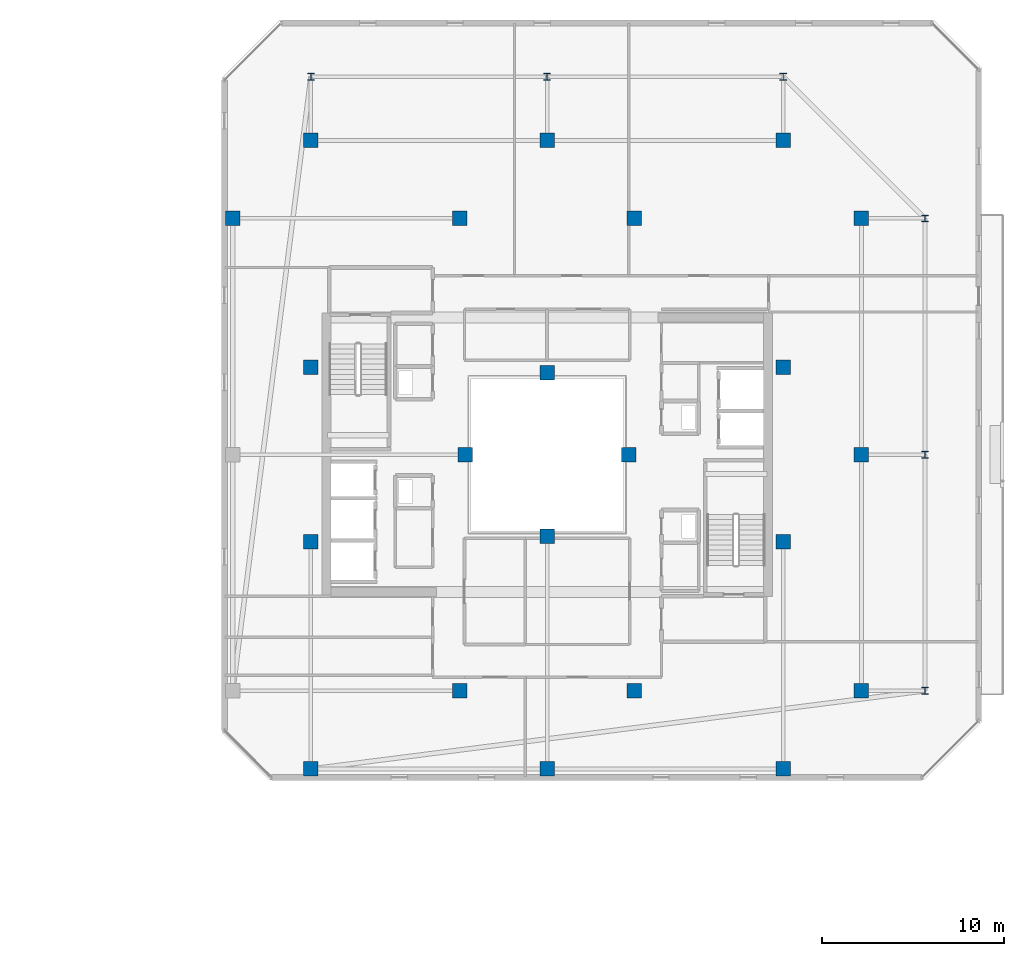
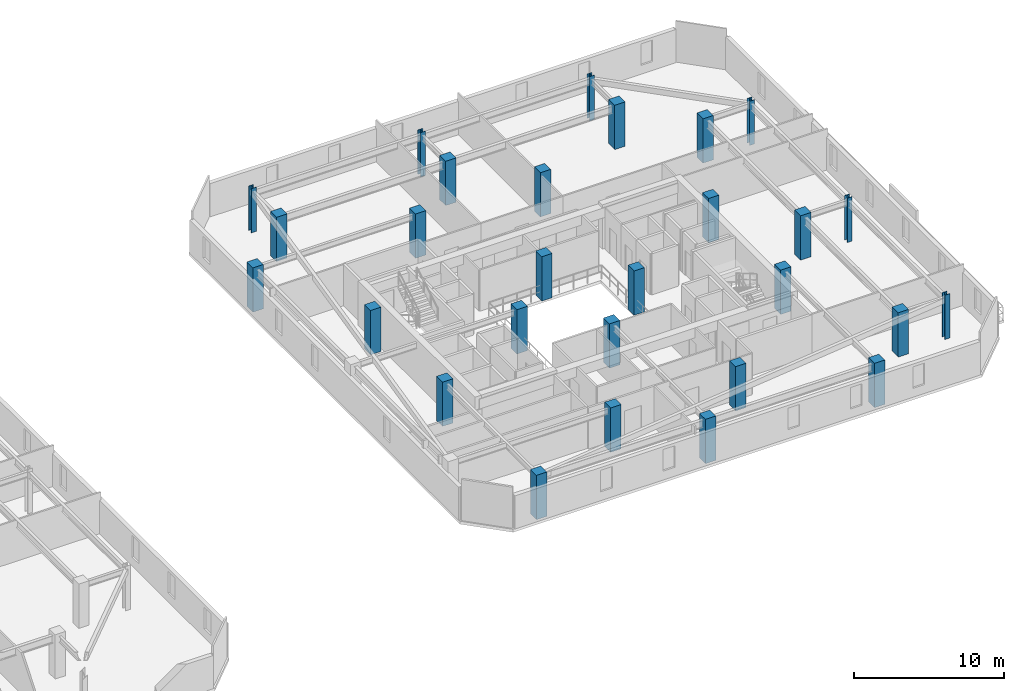
# One storey, part 4 of 35: 28 columns.
"""IFC4 building model written with IfcOpenShell, lengths in metres."""

from ifc_helpers import new_model, si_unit, direction, frame, origin, origin_2d, place, context, subcontext, project, spatial, rectangle, i_section, extrude, material, material_profile, profile_set, type_object, element, save


model = new_model("IFC4")

# Units and contexts
model_context = context("Model", 3, precision=1e-05, world=origin(), true_north=direction((0.0, 1.0)))
body_context = subcontext(model_context, "Body", "Model", "MODEL_VIEW")
ifc_project = project(units=[si_unit("LENGTHUNIT", "METRE"), si_unit("AREAUNIT", "SQUARE_METRE"), si_unit("VOLUMEUNIT", "CUBIC_METRE"), si_unit("PLANEANGLEUNIT", "RADIAN"), si_unit("MASSUNIT", "GRAM", prefix="KILO")], contexts=[model_context])

# Site, building, storey
site_placement = place(None, origin())
site = spatial("IfcSite", under=ifc_project, at=site_placement, CompositionType="ELEMENT")
building_placement = place(site_placement, origin())
building = spatial("IfcBuilding", under=site, at=building_placement, Name="Thornwick Lancets Civic Towers", CompositionType="ELEMENT")
storey_placement = place(building_placement, frame((0.0, 0.0, 269.10009765625)))
storey = spatial("IfcBuildingStorey", under=building, at=storey_placement, Name="L72", CompositionType="ELEMENT", Elevation=269.10009765625)

# Columns
ifc_material_1 = material(Name="Concrete C50/60", Category="concrete")
ifc_material_profile_1 = material_profile(ifc_material_1, rectangle(XDim=0.800048828125, YDim=0.800048828125, at=origin_2d()), Name="RC 800x800")
ifc_profile_set_1 = profile_set([ifc_material_profile_1], Name="Concrete C50/60")
column_type_1 = type_object("IfcColumnType", Name="COL_RC_800", PredefinedType="COLUMN", material=ifc_profile_set_1)
for number, where, z_axis, x_axis, name in (
    (1, (105.800048828125, 14.0, 0.0), (0.0, 0.0, 1.0), (1.0, 0.0, 0.0), "L72 Spine Mega-Column B01"),
    (2, (105.800048828125, 27.0, 0.0), (0.0, 0.0, 1.0), (1.0, 0.0, 0.0), "L72 Spine Mega-Column B02"),
    (3, (105.800048828125, 40.0, 0.0), (0.0, 0.0, 1.0), (1.0, 0.0, 0.0), "L72 Spine Mega-Column B03"),
    (4, (101.5, 44.300048828125, 0.0), (0.0, 0.0, 1.0), (1.0, 0.0, 0.0), "L72 Spine Mega-Column B04"),
    (5, (88.5, 44.300048828125, 0.0), (0.0, 0.0, 1.0), (1.0, 0.0, 0.0), "L72 Spine Mega-Column B05"),
    (6, (75.5, 44.300048828125, 0.0), (0.0, 0.0, 1.0), (1.0, 0.0, 0.0), "L72 Spine Mega-Column B06"),
    (7, (71.199951171875, 40.0, 0.0), (0.0, 0.0, 1.0), (1.0, 0.0, 0.0), "L72 Spine Mega-Column B09"),
    (8, (101.5, 9.699951171875, 0.0), (0.0, 0.0, 1.0), (1.0, 0.0, 0.0), "L72 Spine Mega-Column B10"),
    (9, (88.5, 9.699951171875, 0.0), (0.0, 0.0, 1.0), (1.0, 0.0, 0.0), "L72 Spine Mega-Column B11"),
    (10, (75.5, 9.699951171875, 0.0), (0.0, 0.0, 1.0), (1.0, 0.0, 0.0), "L72 Spine Mega-Column B12"),
    (11, (93.300048828125, 14.0, 0.0), (0.0, 0.0, 1.0), (1.0, 0.0, 0.0), "L72 Spine Mega-Column B13"),
    (12, (93.300048828125, 40.0, 0.0), (0.0, 0.0, 1.0), (1.0, 0.0, 0.0), "L72 Spine Mega-Column B14"),
    (13, (83.699951171875, 14.0, 0.0), (0.0, 0.0, 1.0), (1.0, 0.0, 0.0), "L72 Spine Mega-Column B15"),
    (14, (83.699951171875, 40.0, 0.0), (0.0, 0.0, 1.0), (1.0, 0.0, 0.0), "L72 Spine Mega-Column B16"),
    (15, (101.5, 22.199951171875, 0.0), (0.0, 0.0, 1.0), (1.0, 0.0, 0.0), "L72 Spine Mega-Column B17"),
    (16, (101.5, 31.800048828125, 0.0), (0.0, 0.0, 1.0), (1.0, 0.0, 0.0), "L72 Spine Mega-Column B18"),
    (17, (75.5, 22.199951171875, 0.0), (0.0, 0.0, 1.0), (1.0, 0.0, 0.0), "L72 Spine Mega-Column B19"),
    (18, (75.5, 31.800048828125, 0.0), (0.0, 0.0, 1.0), (1.0, 0.0, 0.0), "L72 Spine Mega-Column B20"),
    (19, (93.0, 27.0, 0.0), (0.0, 0.0, 1.0), (1.0, 0.0, 0.0), "L72 Spine Mega-Column B21"),
    (20, (84.0, 27.0, 0.0), (0.0, 0.0, 1.0), (1.0, 0.0, 0.0), "L72 Spine Mega-Column B22"),
    (21, (88.5, 22.5, 0.0), (0.0, 0.0, 1.0), (1.0, 0.0, 0.0), "L72 Spine Mega-Column B23"),
    (22, (88.5, 31.5, 0.0), (0.0, 0.0, 1.0), (1.0, 0.0, 0.0), "L72 Spine Mega-Column B24"),
):
    element("IfcColumn", number, at=place(storey_placement, frame(where, z_axis=z_axis, x_axis=x_axis)), inside=storey, type_object=column_type_1, Name=name, PredefinedType="COLUMN", context=body_context, shape_type="SweptSolid", body=[
        extrude(rectangle(XDim=0.800048828125, YDim=0.800048828125, at=origin_2d()), origin(), (0.0, 0.0, 1.0), 3.599853515625),
    ])
ifc_material_2 = material(Name="Steel S355JR", Category="steel")
ifc_material_profile_2 = material_profile(ifc_material_2, i_section(OverallWidth=0.374755859375, OverallDepth=0.37451171875, WebThickness=0.0166015625, FlangeThickness=0.027099609375, FilletRadius=0.01513671875, at=origin_2d()), Name="UKC 356x368x202")
ifc_profile_set_2 = profile_set([ifc_material_profile_2], Name="Steel S355JR")
column_type_2 = type_object("IfcColumnType", Name="COL_UKC_202", PredefinedType="COLUMN", material=ifc_profile_set_2)
for number, where, z_axis, x_axis, name in (
    (23, (109.300048828125, 14.0, 0.0), (0.0, 0.0, 1.0), (1.0, 0.0, 0.0), "L72 Block Perimeter Column B01"),
    (24, (109.300048828125, 27.0, 0.0), (0.0, 0.0, 1.0), (1.0, 0.0, 0.0), "L72 Block Perimeter Column B02"),
    (25, (109.300048828125, 40.0, 0.0), (0.0, 0.0, 1.0), (1.0, 0.0, 0.0), "L72 Block Perimeter Column B03"),
    (26, (101.5, 47.800048828125, 0.0), (0.0, 0.0, 1.0), (1.0, 0.0, 0.0), "L72 Block Perimeter Column B04"),
    (27, (88.5, 47.800048828125, 0.0), (0.0, 0.0, 1.0), (1.0, 0.0, 0.0), "L72 Block Perimeter Column B05"),
    (28, (75.5, 47.800048828125, 0.0), (0.0, 0.0, 1.0), (1.0, 0.0, 0.0), "L72 Block Perimeter Column B06"),
):
    element("IfcColumn", number, at=place(storey_placement, frame(where, z_axis=z_axis, x_axis=x_axis)), inside=storey, type_object=column_type_2, Name=name, PredefinedType="COLUMN", context=body_context, shape_type="SweptSolid", body=[
        extrude(i_section(OverallWidth=0.374755859375, OverallDepth=0.37451171875, WebThickness=0.0166015625, FlangeThickness=0.027099609375, FilletRadius=0.01513671875, at=origin_2d()), origin(), (0.0, 0.0, 1.0), 3.599853515625),
    ])

save(model, "model.ifc")
